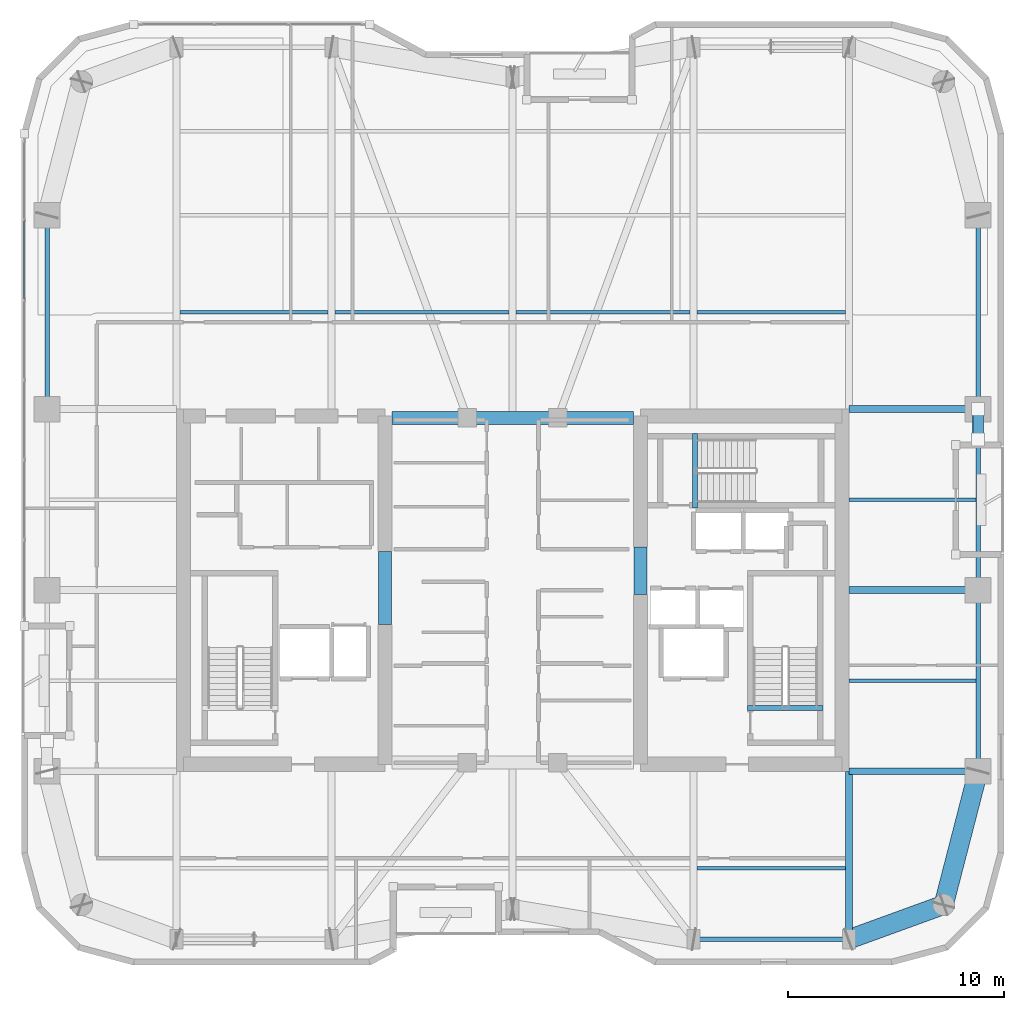
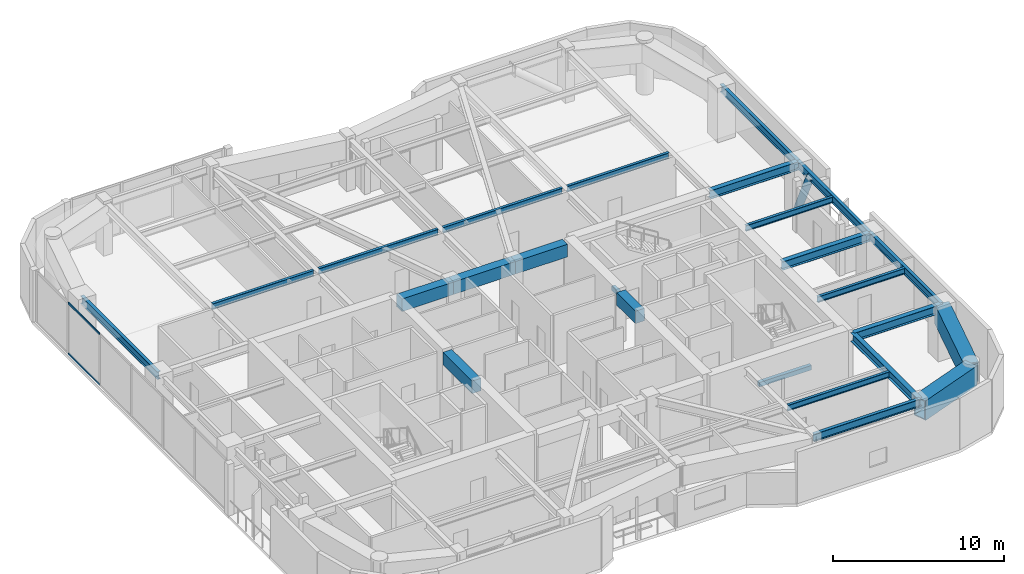
# One storey, part 5 of 21: 25 beams, 3 members, 1 element without a shape of its own.
"""IFC4 building model written with IfcOpenShell, lengths in metres."""

import ifcopenshell
import ifcopenshell.guid

model = None  # the IFC model being written
_history = None  # IfcOwnerHistory: only IFC2X3 demands one
_inside = {}  # id of a spatial element -> (the spatial element, [elements in it])
_under = {}  # id of a project, library or spatial element -> (it, [spatial elements below it])
_declared = {}  # id of a project -> (the project, [libraries it declares])
_typed = {}  # id of a type object -> (the type object, [elements of that type])
_made_of = {}  # id of a material, layer set ... -> (it, [elements and type objects made of it])


def new_model(schema):
    """Start an empty IFC model of exactly this schema.

    Asked for "IFC4X3", IfcOpenShell would pick the latest addendum, in which some entities
    have other attributes; the version numbers below select the first issue.
    IFC2X3 requires an IfcOwnerHistory on every rooted entity: one is made here for all.
    """
    global model, _history
    if schema == "IFC4X3":
        model = ifcopenshell.file(schema_version=(4, 3, 0, 0))
    else:
        model = ifcopenshell.file(schema=schema)
    _inside.clear()
    _under.clear()
    _declared.clear()
    _typed.clear()
    _made_of.clear()
    _history = None
    if model.schema == "IFC2X3":
        org = make("IfcOrganization", Name="unknown")
        user = make(
            "IfcPersonAndOrganization",
            ThePerson=make("IfcPerson", FamilyName="unknown"),
            TheOrganization=org,
        )
        app = make(
            "IfcApplication",
            ApplicationDeveloper=org,
            Version="unknown",
            ApplicationFullName="unknown",
            ApplicationIdentifier="unknown",
        )
        _history = make(
            "IfcOwnerHistory",
            OwningUser=user,
            OwningApplication=app,
            ChangeAction="ADDED",
            CreationDate=0,
        )
    return model


def make(cls, **values):
    """One entity of the class cls with the attributes given. An attribute that is None is left unset."""
    return model.create_entity(
        cls, **{name: value for name, value in values.items() if value is not None}
    )


def rooted(cls, **values):
    """An entity with a GlobalId (a new one), such as an element, a storey or a relation."""
    return make(cls, GlobalId=ifcopenshell.guid.new(), OwnerHistory=_history, **values)


def si_unit(unit_type, name, prefix=None):
    """IfcSIUnit, for example si_unit("LENGTHUNIT", "METRE", prefix="MILLI")."""
    return make("IfcSIUnit", UnitType=unit_type, Prefix=prefix, Name=name)


def assignment(units):
    """IfcUnitAssignment: the units of a project."""
    return None if units is None else make("IfcUnitAssignment", Units=units)


def point(xyz):
    """IfcCartesianPoint."""
    return None if xyz is None else make("IfcCartesianPoint", Coordinates=xyz)


def direction(xyz):
    """IfcDirection."""
    return None if xyz is None else make("IfcDirection", DirectionRatios=xyz)


def frame(location, z_axis=None, x_axis=None):
    """IfcAxis2Placement3D, a coordinate frame: its origin and axes. An axis left out is left unset."""
    return make(
        "IfcAxis2Placement3D",
        Location=point(location),
        Axis=direction(z_axis),
        RefDirection=direction(x_axis),
    )


def frame_2d(location, x_axis=None):
    """IfcAxis2Placement2D, a coordinate frame in the plane: its origin and x axis."""
    return make(
        "IfcAxis2Placement2D", Location=point(location), RefDirection=direction(x_axis)
    )


def origin():
    """The frame at (0, 0, 0) with its axes left unset."""
    return frame((0.0, 0.0, 0.0))


def origin_2d():
    """The frame at (0, 0) in the plane with its x axis left unset."""
    return frame_2d((0.0, 0.0))


def place(relative_to, where):
    """IfcLocalPlacement: puts the frame where relative to a parent placement (None: the world)."""
    return make(
        "IfcLocalPlacement", PlacementRelTo=relative_to, RelativePlacement=where
    )


def context(
    kind, dimensions, precision=None, world=None, true_north=None, identifier=None
):
    """IfcGeometricRepresentationContext, for example the 3D "Model" context."""
    return make(
        "IfcGeometricRepresentationContext",
        ContextIdentifier=identifier,
        ContextType=kind,
        CoordinateSpaceDimension=dimensions,
        Precision=precision,
        WorldCoordinateSystem=world,
        TrueNorth=true_north,
    )


def subcontext(parent, identifier, kind, view, scale=None):
    """IfcGeometricRepresentationSubContext, for example "Body" below "Model"."""
    return make(
        "IfcGeometricRepresentationSubContext",
        ContextIdentifier=identifier,
        ContextType=kind,
        ParentContext=parent,
        TargetScale=scale,
        TargetView=view,
    )


def project(units=None, contexts=None):
    """IfcProject with its units and contexts."""
    return rooted(
        "IfcProject",
        Name="project",
        RepresentationContexts=contexts,
        UnitsInContext=assignment(units),
    )


def spatial(cls, under=None, at=None, **own):
    """A site, building, storey or space (cls), placed at a placement, below another one or the project."""
    s = rooted(cls, ObjectPlacement=at, **own)
    if under is not None:
        _under.setdefault(under.id(), (under, []))[1].append(s)
    return s


def profile(cls, at=None, kind="AREA", **sizes):
    """A parametric profile (cls). Its sizes go by their IFC names, for example OverallWidth=200.0."""
    return make(cls, ProfileType=kind, Position=at, **sizes)


def rectangle(**sizes):
    """IfcRectangleProfileDef."""
    return profile("IfcRectangleProfileDef", **sizes)


def hollow_rectangle(**sizes):
    """IfcRectangleHollowProfileDef."""
    return profile("IfcRectangleHollowProfileDef", **sizes)


def hollow_circle(**sizes):
    """IfcCircleHollowProfileDef."""
    return profile("IfcCircleHollowProfileDef", **sizes)


def i_section(**sizes):
    """IfcIShapeProfileDef."""
    return profile("IfcIShapeProfileDef", **sizes)


def extrude(swept, where, along, depth):
    """IfcExtrudedAreaSolid: the profile swept, set in the frame where, extruded along a direction by depth."""
    return make(
        "IfcExtrudedAreaSolid",
        SweptArea=swept,
        Position=where,
        ExtrudedDirection=direction(along),
        Depth=depth,
    )


def shape(context_of_items, identifier, shape_type, items):
    """IfcShapeRepresentation: the items that make up one representation, for example the "Body"."""
    return make(
        "IfcShapeRepresentation",
        ContextOfItems=context_of_items,
        RepresentationIdentifier=identifier,
        RepresentationType=shape_type,
        Items=items,
    )


def material(Name=None, Category=None):
    """IfcMaterial."""
    return make("IfcMaterial", Name=Name, Category=Category)


def layer(
    of_material, thickness, ventilated=None, Name=None, Category=None, Priority=None
):
    """IfcMaterialLayer: one layer of a wall or slab, of a material (None: an air gap)."""
    return make(
        "IfcMaterialLayer",
        Material=of_material,
        LayerThickness=thickness,
        IsVentilated=ventilated,
        Name=Name,
        Category=Category,
        Priority=Priority,
    )


def layer_set(layers, Name=None):
    """IfcMaterialLayerSet."""
    return make("IfcMaterialLayerSet", MaterialLayers=layers, LayerSetName=Name)


def material_profile(
    of_material, cross_section, Name=None, Category=None, Priority=None
):
    """IfcMaterialProfile: a cross section and its material."""
    return make(
        "IfcMaterialProfile",
        Name=Name,
        Material=of_material,
        Profile=cross_section,
        Priority=Priority,
        Category=Category,
    )


def profile_set(profiles, Name=None, composite=None):
    """IfcMaterialProfileSet."""
    return make(
        "IfcMaterialProfileSet",
        Name=Name,
        MaterialProfiles=profiles,
        CompositeProfile=composite,
    )


def made_of(thing, what):
    """Note that an element or type object is made of a material, layer set ...; save() writes the relation."""
    if what is not None:
        _made_of.setdefault(what.id(), (what, []))[1].append(thing)
    return thing


def type_object(cls, material=None, **own):
    """A type object (cls), such as IfcWallType, which elements share."""
    return made_of(rooted(cls, **own), material)


def element(
    cls,
    number,
    at=None,
    inside=None,
    cuts=None,
    type_object=None,
    material=None,
    context=None,
    identifier="Body",
    shape_type=None,
    held_by="IfcProductDefinitionShape",
    body=None,
    shapes=None,
    **own,
):
    """One element of the class cls, such as IfcWall. Its Tag is "e" and its number.

    at: its placement. inside: the storey or other place that contains it. cuts: it is an
    opening in that element (IfcRelVoidsElement). A single representation is given by context,
    identifier, shape_type and body (its items); several are given by shapes. held_by: the class
    of the entity that holds the representations. save() writes the other relations.
    """
    e = rooted(cls, Tag="e%d" % number, ObjectPlacement=at, **own)
    if body is not None:
        shapes = [shape(context, identifier, shape_type, body)]
    if shapes is not None:
        e.Representation = make(held_by, Representations=shapes)
    if inside is not None:
        _inside.setdefault(inside.id(), (inside, []))[1].append(e)
    if cuts is not None:
        rooted(
            "IfcRelVoidsElement", RelatingBuildingElement=cuts, RelatedOpeningElement=e
        )
    if type_object is not None:
        _typed.setdefault(type_object.id(), (type_object, []))[1].append(e)
    return made_of(e, material)


def aggregate(whole, parts):
    """IfcRelAggregates: a whole, such as a stair, and the parts it consists of."""
    return rooted("IfcRelAggregates", RelatingObject=whole, RelatedObjects=parts)


def save(model, path):
    """Write the relations noted so far, then the file.

    IfcRelAggregates (storeys below a building ...), IfcRelContainedInSpatialStructure (elements
    in a storey), IfcRelDefinesByType, IfcRelAssociatesMaterial and IfcRelDeclares: one each for
    every whole, place, type object, material and project.
    """
    for whole, parts in _under.values():
        aggregate(whole, parts)
    for where, things in _inside.values():
        rooted(
            "IfcRelContainedInSpatialStructure",
            RelatedElements=things,
            RelatingStructure=where,
        )
    for kind, things in _typed.values():
        rooted("IfcRelDefinesByType", RelatedObjects=things, RelatingType=kind)
    for what, things in _made_of.values():
        rooted("IfcRelAssociatesMaterial", RelatedObjects=things, RelatingMaterial=what)
    for by, libraries in _declared.values():
        rooted("IfcRelDeclares", RelatingContext=by, RelatedDefinitions=libraries)
    model.write(path)


model = new_model("IFC4")

# Units and contexts
model_context = context("Model", 3, precision=1e-05, world=origin(), true_north=direction((0.0, 1.0)))
body_context = subcontext(model_context, "Body", "Model", "MODEL_VIEW")
ifc_project = project(units=[si_unit("LENGTHUNIT", "METRE"), si_unit("AREAUNIT", "SQUARE_METRE"), si_unit("VOLUMEUNIT", "CUBIC_METRE"), si_unit("PLANEANGLEUNIT", "RADIAN"), si_unit("MASSUNIT", "GRAM", prefix="KILO")], contexts=[model_context])

# Site, building, storey
site_placement = place(None, origin())
site = spatial("IfcSite", under=ifc_project, at=site_placement, CompositionType="ELEMENT")
building_placement = place(site_placement, origin())
building = spatial("IfcBuilding", under=site, at=building_placement, Name="Kiyonajd Concourse Tower", CompositionType="ELEMENT")
storey_placement = place(building_placement, frame((0.0, 0.0, 223.199951171875)))
storey = spatial("IfcBuildingStorey", under=building, at=storey_placement, Name="L56", CompositionType="ELEMENT", Elevation=223.199951171875)

# Beams
ifc_material_1 = material(Name="Concrete C60/75", Category="concrete")
ifc_material_profile_1 = material_profile(ifc_material_1, rectangle(XDim=0.60009765625, YDim=0.89990234375, at=origin_2d()), Name="RCBM-600x900")
ifc_profile_set_1 = profile_set([ifc_material_profile_1], Name="Concrete C60/75")
beam_type_1 = type_object("IfcBeamType", Name="BM-COUP-900", PredefinedType="LINTEL", material=ifc_profile_set_1)
beam_1_placement = place(storey_placement, frame((42.39990234375, 44.0, 3.22998046875), z_axis=(1.0, 0.0, 0.0), x_axis=(0.0, 1.0, 0.0)))
element("IfcBeam", 1, at=beam_1_placement, inside=storey, type_object=beam_type_1, Name="L56 Core Coupling Beam N1", PredefinedType="LINTEL", context=body_context, shape_type="SweptSolid", body=[
    extrude(rectangle(XDim=0.60009765625, YDim=0.89990234375, at=origin_2d()), origin(), (0.0, 0.0, 1.0), 3.5),
])
beam_2_placement = place(storey_placement, frame((45.89990234375, 44.0, 3.22998046875), z_axis=(1.0, 0.0, 0.0), x_axis=(0.0, 1.0, 0.0)))
element("IfcBeam", 2, at=beam_2_placement, inside=storey, type_object=beam_type_1, Name="L56 Core Coupling Beam N2", PredefinedType="LINTEL", context=body_context, shape_type="SweptSolid", body=[
    extrude(rectangle(XDim=0.60009765625, YDim=0.89990234375, at=origin_2d()), origin(), (0.0, 0.0, 1.0), 4.2001953125),
])
beam_3_placement = place(storey_placement, frame((50.10009765625, 44.0, 3.22998046875), z_axis=(1.0, 0.0, 0.0), x_axis=(0.0, 1.0, 0.0)))
element("IfcBeam", 3, at=beam_3_placement, inside=storey, type_object=beam_type_1, Name="L56 Core Coupling Beam N3", PredefinedType="LINTEL", context=body_context, shape_type="SweptSolid", body=[
    extrude(rectangle(XDim=0.60009765625, YDim=0.89990234375, at=origin_2d()), origin(), (0.0, 0.0, 1.0), 3.5),
])
beam_4_placement = place(storey_placement, frame((42.074951171875, 34.39990234375, 3.22998046875), z_axis=(0.0, 1.0, 0.0), x_axis=(-1.0, 0.0, 0.0)))
element("IfcBeam", 4, at=beam_4_placement, inside=storey, type_object=beam_type_1, Name="L56 West Core Throat Coupling Lintel", PredefinedType="LINTEL", context=body_context, shape_type="SweptSolid", body=[
    extrude(rectangle(XDim=0.60009765625, YDim=0.89990234375, at=origin_2d()), origin(), (0.0, 0.0, 1.0), 3.400146484375),
])
beam_5_placement = place(storey_placement, frame((53.925048828125, 35.800048828125, 3.22998046875), z_axis=(0.0, 1.0, 0.0), x_axis=(-1.0, 0.0, 0.0)))
element("IfcBeam", 5, at=beam_5_placement, inside=storey, type_object=beam_type_1, Name="L56 East Core Throat Coupling Lintel", PredefinedType="LINTEL", context=body_context, shape_type="SweptSolid", body=[
    extrude(rectangle(XDim=0.60009765625, YDim=0.89990234375, at=origin_2d()), origin(), (0.0, 0.0, 1.0), 2.199951171875),
])
ifc_material_2 = material(Name="Steel ASTM A992 Grade 50", Category="steel")
ifc_material_profile_2 = material_profile(ifc_material_2, i_section(OverallWidth=0.180908203125, OverallDepth=0.4169921875, WebThickness=0.010986328125, FlangeThickness=0.018310546875, at=origin_2d()), Name="W410X85")
ifc_profile_set_2 = profile_set([ifc_material_profile_2], Name="Steel ASTM A992 Grade 50")
beam_type_2 = type_object("IfcBeamType", Name="BM-JST-410", PredefinedType="JOIST", material=ifc_profile_set_2)
for number, where, z_axis, x_axis, name in (
    (6, (56.56201171875, 23.10009765625, 3.471435546875), (1.0, 0.0, 0.0), (0.0, 1.0, 0.0), "L56 Secondary Floor Joist"),
    (7, (32.56201171875, 48.89990234375, 3.471435546875), (1.0, 0.0, 0.0), (0.0, 1.0, 0.0), "L56 Secondary Floor Joist"),
):
    element("IfcBeam", number, at=place(storey_placement, frame(where, z_axis=z_axis, x_axis=x_axis)), inside=storey, type_object=beam_type_2, Name=name, PredefinedType="JOIST", context=body_context, shape_type="SweptSolid", body=[
        extrude(i_section(OverallWidth=0.180908203125, OverallDepth=0.4169921875, WebThickness=0.010986328125, FlangeThickness=0.018310546875, at=origin_2d()), origin(), (0.0, 0.0, 1.0), 6.8759765625),
    ])
for number, where, z_axis, x_axis, name in (
    (8, (39.761962890625, 48.89990234375, 3.471435546875), (1.0, 0.0, 0.0), (0.0, 1.0, 0.0), "L56 Secondary Floor Joist"),
    (9, (48.162109375, 48.89990234375, 3.471435546875), (1.0, 0.0, 0.0), (0.0, 1.0, 0.0), "L56 Secondary Floor Joist"),
):
    element("IfcBeam", number, at=place(storey_placement, frame(where, z_axis=z_axis, x_axis=x_axis)), inside=storey, type_object=beam_type_2, Name=name, PredefinedType="JOIST", context=body_context, shape_type="SweptSolid", body=[
        extrude(i_section(OverallWidth=0.180908203125, OverallDepth=0.4169921875, WebThickness=0.010986328125, FlangeThickness=0.018310546875, at=origin_2d()), origin(), (0.0, 0.0, 1.0), 8.075927734375),
    ])
beam_6_placement = place(storey_placement, frame((56.56201171875, 48.89990234375, 3.471435546875), z_axis=(1.0, 0.0, 0.0), x_axis=(0.0, 1.0, 0.0)))
element("IfcBeam", 10, at=beam_6_placement, inside=storey, type_object=beam_type_2, Name="L56 Secondary Floor Joist", PredefinedType="JOIST", context=body_context, shape_type="SweptSolid", body=[
    extrude(i_section(OverallWidth=0.180908203125, OverallDepth=0.4169921875, WebThickness=0.010986328125, FlangeThickness=0.018310546875, at=origin_2d()), origin(), (0.0, 0.0, 1.0), 6.8759765625),
])
for number, where, z_axis, x_axis, name in (
    (11, (63.60009765625, 31.800048828125, 3.471435546875), (1.0, 0.0, 0.0), (0.0, 1.0, 0.0), "L56 East Secondary Floor Joist"),
    (12, (63.60009765625, 40.199951171875, 3.471435546875), (1.0, 0.0, 0.0), (0.0, 1.0, 0.0), "L56 East Secondary Floor Joist"),
):
    element("IfcBeam", number, at=place(storey_placement, frame(where, z_axis=z_axis, x_axis=x_axis)), inside=storey, type_object=beam_type_2, Name=name, PredefinedType="JOIST", context=body_context, shape_type="SweptSolid", body=[
        extrude(i_section(OverallWidth=0.180908203125, OverallDepth=0.4169921875, WebThickness=0.010986328125, FlangeThickness=0.018310546875, at=origin_2d()), origin(), (0.0, 0.0, 1.0), 5.892822265625),
    ])
ifc_material_3 = material(Name="Concrete C50/60", Category="concrete")
ifc_material_profile_3 = material_profile(ifc_material_3, rectangle(XDim=0.239990234375, YDim=0.320068359375, at=origin_2d()), Name="RCBM-240x320")
ifc_profile_set_3 = profile_set([ifc_material_profile_3], Name="Concrete C50/60")
beam_type_3 = type_object("IfcBeamType", Name="BM-LNT-250", PredefinedType="LINTEL", material=ifc_profile_set_3)
beam_7_placement = place(storey_placement, frame((58.889892578125, 30.530029296875, -0.159912109375), z_axis=(1.0, 0.0, 0.0), x_axis=(0.0, 1.0, 0.0)))
element("IfcBeam", 13, at=beam_7_placement, inside=storey, type_object=beam_type_3, Name="L56 Stair ST2 Threshold Support Beam", PredefinedType="LINTEL", context=body_context, shape_type="SweptSolid", body=[
    extrude(rectangle(XDim=0.239990234375, YDim=0.320068359375, at=origin_2d()), origin(), (0.0, 0.0, 1.0), 3.52001953125),
])
beam_8_placement = place(storey_placement, frame((56.4599609375, 39.820068359375, -0.159912109375), z_axis=(0.0, 1.0, 0.0), x_axis=(-1.0, 0.0, 0.0)))
element("IfcBeam", 14, at=beam_8_placement, inside=storey, type_object=beam_type_3, Name="L56 Stair ST3 Threshold Support Beam", PredefinedType="LINTEL", context=body_context, shape_type="SweptSolid", body=[
    extrude(rectangle(XDim=0.239990234375, YDim=0.320068359375, at=origin_2d()), origin(), (0.0, 0.0, 1.0), 3.4599609375),
])
ifc_material_profile_4 = material_profile(ifc_material_2, i_section(OverallWidth=0.214111328125, OverallDepth=0.549072265625, WebThickness=0.0146484375, FlangeThickness=0.023681640625, at=origin_2d()), Name="W530X138")
ifc_profile_set_4 = profile_set([ifc_material_profile_4], Name="Steel ASTM A992 Grade 50")
beam_type_4 = type_object("IfcBeamType", Name="BM-SPAN-530A", PredefinedType="SPANDREL", material=ifc_profile_set_4)
beam_9_placement = place(storey_placement, frame((56.39990234375, 19.800048828125, 3.405517578125), z_axis=(1.0, 0.0, 0.0), x_axis=(0.0, 1.0, 0.0)))
element("IfcBeam", 15, at=beam_9_placement, inside=storey, type_object=beam_type_4, Name="L56 Perimeter Bundled Tube Spandrel", PredefinedType="SPANDREL", context=body_context, shape_type="SweptSolid", body=[
    extrude(i_section(OverallWidth=0.214111328125, OverallDepth=0.549072265625, WebThickness=0.0146484375, FlangeThickness=0.023681640625, at=origin_2d()), origin(), (0.0, 0.0, 1.0), 7.2001953125),
])
for number, where, z_axis, x_axis, name in (
    (16, (69.60009765625, 27.60009765625, 3.405517578125), (0.0, 1.0, 0.0), (-1.0, 0.0, 0.0), "L56 Perimeter Bundled Tube Spandrel"),
    (17, (69.60009765625, 36.0, 3.405517578125), (0.0, 1.0, 0.0), (-1.0, 0.0, 0.0), "L56 Perimeter Bundled Tube Spandrel"),
):
    element("IfcBeam", number, at=place(storey_placement, frame(where, z_axis=z_axis, x_axis=x_axis)), inside=storey, type_object=beam_type_4, Name=name, PredefinedType="SPANDREL", context=body_context, shape_type="SweptSolid", body=[
        extrude(i_section(OverallWidth=0.214111328125, OverallDepth=0.549072265625, WebThickness=0.0146484375, FlangeThickness=0.023681640625, at=origin_2d()), origin(), (0.0, 0.0, 1.0), 8.39990234375),
    ])
for number, where, z_axis, x_axis, name in (
    (18, (69.60009765625, 44.39990234375, 3.405517578125), (0.0, 1.0, 0.0), (-1.0, 0.0, 0.0), "L56 Perimeter Bundled Tube Spandrel"),
    (19, (26.39990234375, 53.39990234375, 3.405517578125), (0.0, -1.0, 0.0), (1.0, 0.0, 0.0), "L56 Perimeter Bundled Tube Spandrel"),
):
    element("IfcBeam", number, at=place(storey_placement, frame(where, z_axis=z_axis, x_axis=x_axis)), inside=storey, type_object=beam_type_4, Name=name, PredefinedType="SPANDREL", context=body_context, shape_type="SweptSolid", body=[
        extrude(i_section(OverallWidth=0.214111328125, OverallDepth=0.549072265625, WebThickness=0.0146484375, FlangeThickness=0.023681640625, at=origin_2d()), origin(), (0.0, 0.0, 1.0), 9.0),
    ])
ifc_material_profile_5 = material_profile(ifc_material_2, i_section(OverallWidth=0.323974609375, OverallDepth=0.611083984375, WebThickness=0.0126953125, FlangeThickness=0.01904296875, at=origin_2d()), Name="W610X155")
ifc_profile_set_5 = profile_set([ifc_material_profile_5], Name="Steel ASTM A992 Grade 50")
beam_type_5 = type_object("IfcBeamType", Name="BM-TWR-610B", PredefinedType="BEAM", material=ifc_profile_set_5)
beam_10_placement = place(storey_placement, frame((63.60009765625, 19.800048828125, 3.37451171875), z_axis=(0.0, 1.0, 0.0), x_axis=(-1.0, 0.0, 0.0)))
element("IfcBeam", 20, at=beam_10_placement, inside=storey, type_object=beam_type_5, Name="L56 South Lease Girder", PredefinedType="BEAM", context=body_context, shape_type="SweptSolid", body=[
    extrude(i_section(OverallWidth=0.323974609375, OverallDepth=0.611083984375, WebThickness=0.0126953125, FlangeThickness=0.01904296875, at=origin_2d()), origin(), (0.0, 0.0, 1.0), 7.800048828125),
])
for number, where, z_axis, x_axis, name in (
    (21, (63.60009765625, 27.60009765625, 3.37451171875), (1.0, 0.0, 0.0), (0.0, 1.0, 0.0), "L56 East Lease Girder"),
    (22, (63.60009765625, 36.0, 3.37451171875), (1.0, 0.0, 0.0), (0.0, 1.0, 0.0), "L56 East Lease Girder"),
    (23, (63.60009765625, 44.39990234375, 3.37451171875), (1.0, 0.0, 0.0), (0.0, 1.0, 0.0), "L56 East Lease Girder"),
):
    element("IfcBeam", number, at=place(storey_placement, frame(where, z_axis=z_axis, x_axis=x_axis)), inside=storey, type_object=beam_type_5, Name=name, PredefinedType="BEAM", context=body_context, shape_type="SweptSolid", body=[
        extrude(i_section(OverallWidth=0.323974609375, OverallDepth=0.611083984375, WebThickness=0.0126953125, FlangeThickness=0.01904296875, at=origin_2d()), origin(), (0.0, 0.0, 1.0), 6.0),
    ])
ifc_material_4 = material(Name="Steel ASTM A572 Grade 50", Category="steel")
ifc_material_profile_6 = material_profile(ifc_material_4, hollow_rectangle(XDim=0.89990234375, YDim=1.39990234375, WallThickness=0.070068359375, at=origin_2d()), Name="BOX-1400x900x70")
ifc_profile_set_6 = profile_set([ifc_material_profile_6], Name="Steel ASTM A572 Grade 50")
beam_type_6 = type_object("IfcBeamType", Name="BM-XFER-1400", PredefinedType="BEAM", material=ifc_profile_set_6)
beam_11_placement = place(storey_placement, frame((63.60009765625, 19.800048828125, 2.97998046875), z_axis=(0.939801036019, 0.341722127901, 0.0), x_axis=(-0.341722127901, 0.939801036019, 0.0)))
element("IfcBeam", 24, at=beam_11_placement, inside=storey, type_object=beam_type_6, Name="L56 Perimeter Bundled Tube Spandrel", PredefinedType="BEAM", context=body_context, shape_type="SweptSolid", body=[
    extrude(hollow_rectangle(XDim=0.89990234375, YDim=1.39990234375, WallThickness=0.070068359375, at=origin_2d()), origin(), (0.0, 0.0, 1.0), 4.681640625),
])
beam_12_placement = place(storey_placement, frame((68.0, 21.39990234375, 2.97998046875), z_axis=(0.249884937687, 0.968275538221, 0.0), x_axis=(-0.968275538221, 0.249884937687, 0.0)))
element("IfcBeam", 25, at=beam_12_placement, inside=storey, type_object=beam_type_6, Name="L56 Perimeter Bundled Tube Spandrel", PredefinedType="BEAM", context=body_context, shape_type="SweptSolid", body=[
    extrude(hollow_rectangle(XDim=0.89990234375, YDim=1.39990234375, WallThickness=0.070068359375, at=origin_2d()), origin(), (0.0, 0.0, 1.0), 6.4033203125),
])

# Curtain wall, members
ifc_material_5 = material(Name="Thermally Broken Anodised Aluminium", Category="aluminium")
ifc_layer = layer(ifc_material_5, 0.179931640625)
ifc_layer_set = layer_set([ifc_layer], Name="Thermally Broken Anodised Aluminium")
curtain_wall_type = type_object("IfcCurtainWallType", Name="CW-SYS-04", PredefinedType="NOTDEFINED", material=ifc_layer_set)
curtain_wall_placement = place(storey_placement, origin())
curtain_wall = element("IfcCurtainWall", 26, at=curtain_wall_placement, inside=storey, type_object=curtain_wall_type, Name="L56 Unitised Curtain Wall CW4", PredefinedType="NOTDEFINED")
ifc_material_profile_7 = material_profile(ifc_material_5, hollow_rectangle(XDim=0.06494140625, YDim=0.139892578125, WallThickness=0.00390625, at=origin_2d()), Name="TRAN-65x140")
ifc_profile_set_7 = profile_set([ifc_material_profile_7], Name="Thermally Broken Anodised Aluminium")
member_type_1 = type_object("IfcMemberType", Name="MB-CW-TRAN1", PredefinedType="USERDEFINED", material=ifc_profile_set_7)
member_1_placement = place(storey_placement, frame((25.340087890625, 49.503662109375, 0.032470703125), z_axis=(0.0, 1.0, 0.0), x_axis=(-1.0, 0.0, 0.0)))
member_1 = element("IfcMember", 27, at=member_1_placement, type_object=member_type_1, Name="CW4 transom 5.1", ObjectType="TRANSOM", PredefinedType="USERDEFINED", context=body_context, shape_type="SweptSolid", body=[
    extrude(hollow_rectangle(XDim=0.06494140625, YDim=0.139892578125, WallThickness=0.00390625, at=origin_2d()), origin(), (0.0, 0.0, 1.0), 3.645263671875),
])
member_2_placement = place(storey_placement, frame((25.340087890625, 49.503662109375, 3.6474609375), z_axis=(0.0, 1.0, 0.0), x_axis=(-1.0, 0.0, 0.0)))
member_2 = element("IfcMember", 28, at=member_2_placement, type_object=member_type_1, Name="CW4 transom 5.2", ObjectType="TRANSOM", PredefinedType="USERDEFINED", context=body_context, shape_type="SweptSolid", body=[
    extrude(hollow_rectangle(XDim=0.06494140625, YDim=0.139892578125, WallThickness=0.00390625, at=origin_2d()), origin(), (0.0, 0.0, 1.0), 3.645263671875),
])
aggregate(curtain_wall, [member_1, member_2])

# Member
ifc_material_6 = material(Name="Steel ASTM A500 Grade C", Category="steel")
ifc_material_profile_8 = material_profile(ifc_material_6, hollow_circle(Radius=0.25390625, WallThickness=0.02197265625, at=origin_2d()), Name="CHS-508x22")
ifc_profile_set_8 = profile_set([ifc_material_profile_8], Name="Steel ASTM A500 Grade C")
member_type_2 = type_object("IfcMemberType", Name="MB-PB-MID", PredefinedType="BRACE", material=ifc_profile_set_8)
member_3_placement = place(storey_placement, frame((69.60009765625, 44.39990234375, 0.300048828125), z_axis=(0.0, -0.419410666774, 0.907796614114), x_axis=(1.0, 0.0, 0.0)))
element("IfcMember", 29, at=member_3_placement, inside=storey, type_object=member_type_2, Name="L56 Upper Zone Hollow Tube Brace PBE", PredefinedType="BRACE", context=body_context, shape_type="SweptSolid", body=[
    extrude(hollow_circle(Radius=0.25390625, WallThickness=0.02197265625, at=origin_2d()), origin(), (0.0, 0.0, 1.0), 3.337890625),
])

save(model, "model.ifc")
